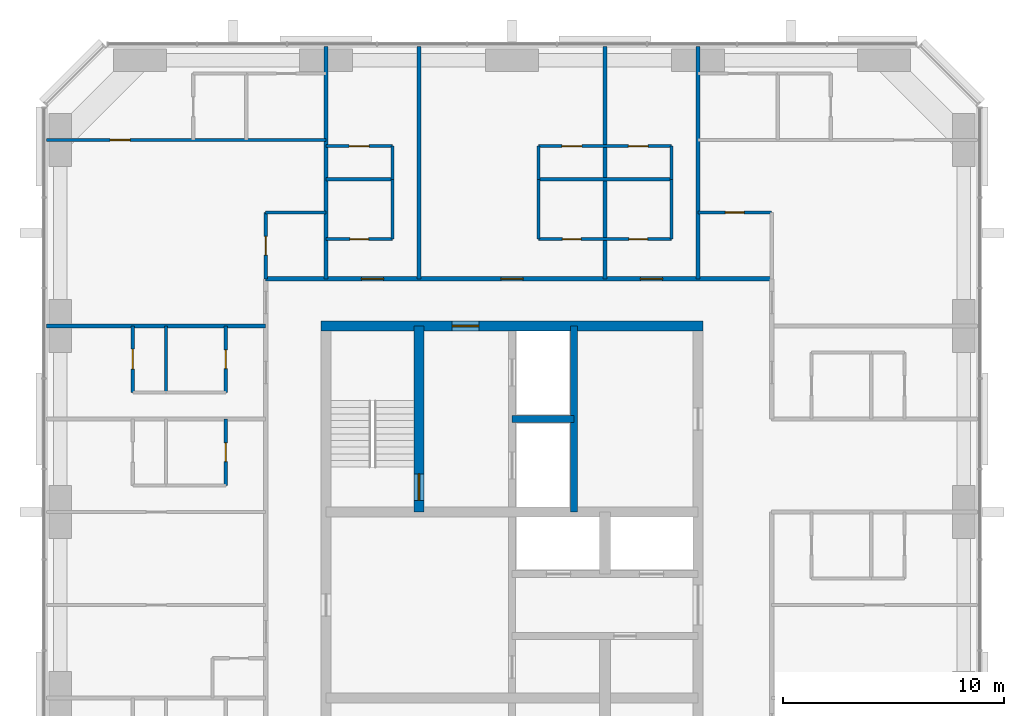
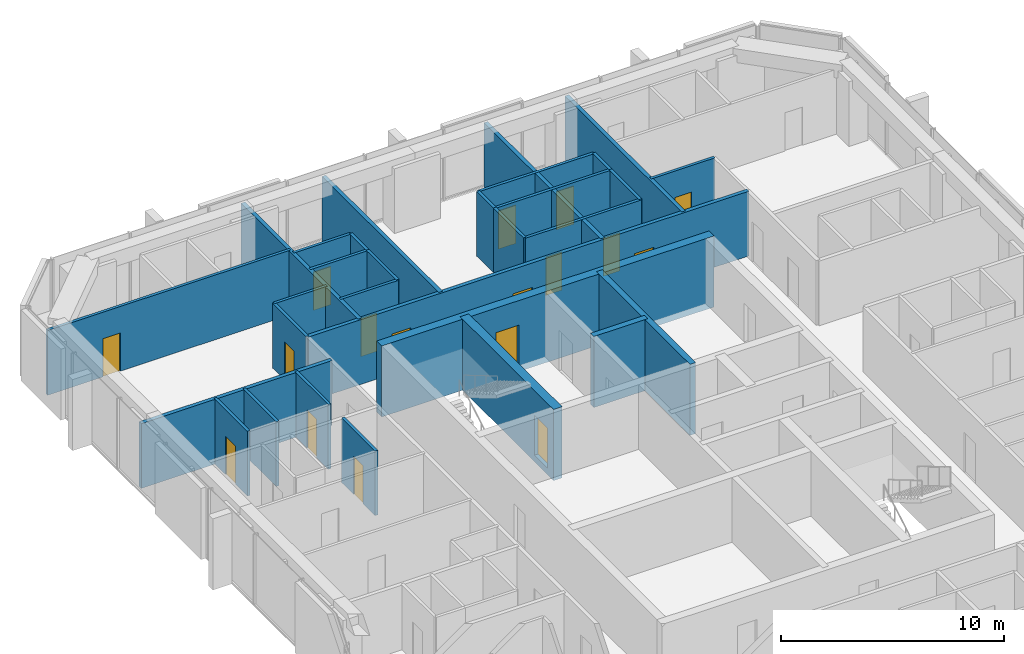
# One storey, part 10 of 12: 30 walls, 17 doors, 17 openings.
"""IFC4 building model written with IfcOpenShell, lengths in metres."""

from ifc_helpers import new_model, si_unit, direction, frame, frame_2d, origin, place, context, subcontext, project, spatial, rectangle, extrude, material, layer, layer_set, type_object, element, fill, save


model = new_model("IFC4")

# Units and contexts
model_context = context("Model", 3, precision=1e-05, world=origin(), true_north=direction((0.0, 1.0)))
body_context = subcontext(model_context, "Body", "Model", "MODEL_VIEW")
ifc_project = project(units=[si_unit("LENGTHUNIT", "METRE"), si_unit("AREAUNIT", "SQUARE_METRE"), si_unit("VOLUMEUNIT", "CUBIC_METRE"), si_unit("PLANEANGLEUNIT", "RADIAN"), si_unit("MASSUNIT", "GRAM", prefix="KILO")], contexts=[model_context])

# Site, building, storey
site_placement = place(None, origin())
site = spatial("IfcSite", under=ifc_project, at=site_placement, CompositionType="ELEMENT")
building_placement = place(site_placement, origin())
building = spatial("IfcBuilding", under=site, at=building_placement, Name="Dunama Terrace Hotel", CompositionType="ELEMENT")
storey_placement = place(building_placement, frame((0.0, 0.0, 264.60009765625)))
storey = spatial("IfcBuildingStorey", under=building, at=storey_placement, Name="L68", CompositionType="ELEMENT", Elevation=264.60009765625)

# Wall, opening, door
ifc_material_1 = material(Name="Gypsum board partition", Category="masonry")
ifc_layer_1 = layer(ifc_material_1, 0.14990234375)
ifc_layer_set_1 = layer_set([ifc_layer_1], Name="Bathroom partition 150")
wall_type_1 = type_object("IfcWallType", Name="Bathroom partition 150", PredefinedType="PARTITIONING", material=ifc_layer_set_1)
wall_1_placement = place(storey_placement, frame((20.675048828125, 34.800048828125, 0.0), z_axis=(0.0, 0.0, 1.0), x_axis=(0.0, 1.0, 0.0)))
wall_1 = element("IfcWall", 1, at=wall_1_placement, inside=storey, type_object=wall_type_1, Name="Bathroom partition 150 L68", PredefinedType="PARTITIONING", context=body_context, shape_type="SweptSolid", body=[
    extrude(rectangle(XDim=3.0, YDim=0.14990234375, at=frame_2d((1.5, 0.0))), origin(), (0.0, 0.0, 1.0), 3.5498046875),
])
opening_1_placement = place(wall_1_placement, frame((1.074951171875, 0.0, 0.0)))
opening_1 = element("IfcOpeningElement", 2, at=opening_1_placement, cuts=wall_1, Name="Opening L68-70-047", PredefinedType="OPENING", context=body_context, shape_type="SweptSolid", body=[
    extrude(rectangle(XDim=0.85009765625, YDim=2.10009765625, at=frame_2d((0.425048828125, 1.050048828125))), frame((0.0, 0.0849609375, 0.0), z_axis=(0.0, -1.0, 0.0), x_axis=(1.0, 0.0, 0.0)), (0.0, 0.0, 1.0), 0.169921875),
])
ifc_material_2 = material(Name="Timber door with steel frame", Category="steel")
door_type_1 = type_object("IfcDoorType", Name="Bathroom door 850", OperationType="SINGLE_SWING_LEFT", PredefinedType="DOOR", material=ifc_material_2)
door_1_placement = place(opening_1_placement, origin())
door_1 = element("IfcDoor", 3, at=door_1_placement, inside=storey, type_object=door_type_1, Name="Door to en-suite bathroom L68-70-047, type D2", OperationType="SINGLE_SWING_RIGHT", OverallHeight=2.10009765625, OverallWidth=0.85009765625, PredefinedType="DOOR", context=body_context, shape_type="SweptSolid", body=[
    extrude(rectangle(XDim=0.85009765625, YDim=2.10009765625, at=frame_2d((0.425048828125, 1.050048828125))), frame((0.0, 0.02490234375, 0.0), z_axis=(0.0, -1.0, 0.0), x_axis=(1.0, 0.0, 0.0)), (0.0, 0.0, 1.0), 0.050048828125),
])
fill(opening_1, door_1)

wall_2_placement = place(storey_placement, frame((20.675048828125, 39.0, 0.0), z_axis=(0.0, 0.0, 1.0), x_axis=(0.0, 1.0, 0.0)))
wall_2 = element("IfcWall", 4, at=wall_2_placement, inside=storey, type_object=wall_type_1, Name="Bathroom partition 150 L68", PredefinedType="PARTITIONING", context=body_context, shape_type="SweptSolid", body=[
    extrude(rectangle(XDim=3.0, YDim=0.14990234375, at=frame_2d((1.5, 0.0))), origin(), (0.0, 0.0, 1.0), 3.5498046875),
])
opening_2_placement = place(wall_2_placement, frame((1.074951171875, 0.0, 0.0)))
opening_2 = element("IfcOpeningElement", 5, at=opening_2_placement, cuts=wall_2, Name="Opening L68-70-050", PredefinedType="OPENING", context=body_context, shape_type="SweptSolid", body=[
    extrude(rectangle(XDim=0.85009765625, YDim=2.10009765625, at=frame_2d((0.425048828125, 1.050048828125))), frame((0.0, 0.0849609375, 0.0), z_axis=(0.0, -1.0, 0.0), x_axis=(1.0, 0.0, 0.0)), (0.0, 0.0, 1.0), 0.169921875),
])
door_2_placement = place(opening_2_placement, origin())
door_2 = element("IfcDoor", 6, at=door_2_placement, inside=storey, type_object=door_type_1, Name="Door to en-suite bathroom L68-70-050, type D2", OperationType="SINGLE_SWING_RIGHT", OverallHeight=2.10009765625, OverallWidth=0.85009765625, PredefinedType="DOOR", context=body_context, shape_type="SweptSolid", body=[
    extrude(rectangle(XDim=0.85009765625, YDim=2.10009765625, at=frame_2d((0.425048828125, 1.050048828125))), frame((0.0, 0.02490234375, 0.0), z_axis=(0.0, -1.0, 0.0), x_axis=(1.0, 0.0, 0.0)), (0.0, 0.0, 1.0), 0.050048828125),
])
fill(opening_2, door_2)

wall_3_placement = place(storey_placement, frame((22.47509765625, 44.125, 0.0), z_axis=(0.0, 0.0, 1.0), x_axis=(0.0, 1.0, 0.0)))
wall_3 = element("IfcWall", 7, at=wall_3_placement, inside=storey, type_object=wall_type_1, Name="Bathroom partition 150 L68", PredefinedType="PARTITIONING", context=body_context, shape_type="SweptSolid", body=[
    extrude(rectangle(XDim=3.0, YDim=0.14990234375, at=frame_2d((1.5, 0.0))), origin(), (0.0, 0.0, 1.0), 3.5498046875),
])
opening_3_placement = place(wall_3_placement, frame((1.074951171875, 0.0, 0.0)))
opening_3 = element("IfcOpeningElement", 8, at=opening_3_placement, cuts=wall_3, Name="Opening L68-70-068", PredefinedType="OPENING", context=body_context, shape_type="SweptSolid", body=[
    extrude(rectangle(XDim=0.85009765625, YDim=2.10009765625, at=frame_2d((0.425048828125, 1.050048828125))), frame((0.0, 0.0849609375, 0.0), z_axis=(0.0, -1.0, 0.0), x_axis=(1.0, 0.0, 0.0)), (0.0, 0.0, 1.0), 0.169921875),
])
door_3_placement = place(opening_3_placement, frame((0.85009765625, 0.0, 0.0), z_axis=(0.0, 0.0, 1.0), x_axis=(-1.0, 0.0, 0.0)))
door_3 = element("IfcDoor", 9, at=door_3_placement, inside=storey, type_object=door_type_1, Name="Door to powder room L68-70-068, type D2", OperationType="SINGLE_SWING_RIGHT", OverallHeight=2.10009765625, OverallWidth=0.85009765625, PredefinedType="DOOR", context=body_context, shape_type="SweptSolid", body=[
    extrude(rectangle(XDim=0.85009765625, YDim=2.10009765625, at=frame_2d((0.425048828125, 1.050048828125))), frame((0.0, 0.025146484375, 0.0), z_axis=(0.0, -1.0, 0.0), x_axis=(1.0, 0.0, 0.0)), (0.0, 0.0, 1.0), 0.050048828125),
])
fill(opening_3, door_3)

# Walls
for number, where, z_axis, x_axis, name in (
    (10, (28.199951171875, 45.925048828125, 0.0), (0.0, 0.0, 1.0), (0.0, 1.0, 0.0), "Bathroom partition 150 L68"),
    (11, (34.800048828125, 45.925048828125, 0.0), (0.0, 0.0, 1.0), (0.0, 1.0, 0.0), "Bathroom partition 150 L68"),
    (12, (40.800048828125, 45.925048828125, 0.0), (0.0, 0.0, 1.0), (0.0, 1.0, 0.0), "Bathroom partition 150 L68"),
):
    element("IfcWall", number, at=place(storey_placement, frame(where, z_axis=z_axis, x_axis=x_axis)), inside=storey, type_object=wall_type_1, Name=name, PredefinedType="PARTITIONING", context=body_context, shape_type="SweptSolid", body=[
        extrude(rectangle(XDim=2.699951171875, YDim=0.14990234375, at=frame_2d((1.35009765625, 0.0))), origin(), (0.0, 0.0, 1.0), 3.5498046875),
    ])

# Wall, opening, door
wall_4_placement = place(storey_placement, frame((25.199951171875, 45.925048828125, 0.0), z_axis=(0.0, 0.0, 1.0), x_axis=(1.0, 0.0, 0.0)))
wall_4 = element("IfcWall", 13, at=wall_4_placement, inside=storey, type_object=wall_type_1, Name="Bathroom partition 150 L68", PredefinedType="PARTITIONING", context=body_context, shape_type="SweptSolid", body=[
    extrude(rectangle(XDim=3.0, YDim=0.14990234375, at=frame_2d((1.5, 0.0))), origin(), (0.0, 0.0, 1.0), 3.5498046875),
])
opening_4_placement = place(wall_4_placement, frame((1.074951171875, 0.0, 0.0)))
opening_4 = element("IfcOpeningElement", 14, at=opening_4_placement, cuts=wall_4, Name="Opening L68-70-029", PredefinedType="OPENING", context=body_context, shape_type="SweptSolid", body=[
    extrude(rectangle(XDim=0.85009765625, YDim=2.10009765625, at=frame_2d((0.425048828125, 1.050048828125))), frame((0.0, 0.0849609375, 0.0), z_axis=(0.0, -1.0, 0.0), x_axis=(1.0, 0.0, 0.0)), (0.0, 0.0, 1.0), 0.169921875),
])
door_4_placement = place(opening_4_placement, origin())
door_4 = element("IfcDoor", 15, at=door_4_placement, inside=storey, type_object=door_type_1, Name="Door to en-suite bathroom L68-70-029, type D2", OperationType="SINGLE_SWING_LEFT", OverallHeight=2.10009765625, OverallWidth=0.85009765625, PredefinedType="DOOR", context=body_context, shape_type="SweptSolid", body=[
    extrude(rectangle(XDim=0.85009765625, YDim=2.10009765625, at=frame_2d((0.425048828125, 1.050048828125))), frame((0.0, 0.02490234375, 0.0), z_axis=(0.0, -1.0, 0.0), x_axis=(1.0, 0.0, 0.0)), (0.0, 0.0, 1.0), 0.050048828125),
])
fill(opening_4, door_4)

# Wall, openings, doors
wall_5_placement = place(storey_placement, frame((34.800048828125, 45.925048828125, 0.0), z_axis=(0.0, 0.0, 1.0), x_axis=(1.0, 0.0, 0.0)))
wall_5 = element("IfcWall", 16, at=wall_5_placement, inside=storey, type_object=wall_type_1, Name="Bathroom partition 150 L68", PredefinedType="PARTITIONING", context=body_context, shape_type="SweptSolid", body=[
    extrude(rectangle(XDim=6.0, YDim=0.14990234375, at=frame_2d((3.0, 0.0))), origin(), (0.0, 0.0, 1.0), 3.5498046875),
])
opening_5_placement = place(wall_5_placement, frame((1.074951171875, 0.0, 0.0)))
opening_5 = element("IfcOpeningElement", 17, at=opening_5_placement, cuts=wall_5, Name="Opening L68-70-032", PredefinedType="OPENING", context=body_context, shape_type="SweptSolid", body=[
    extrude(rectangle(XDim=0.85009765625, YDim=2.10009765625, at=frame_2d((0.425048828125, 1.050048828125))), frame((0.0, 0.0849609375, 0.0), z_axis=(0.0, -1.0, 0.0), x_axis=(1.0, 0.0, 0.0)), (0.0, 0.0, 1.0), 0.169921875),
])
opening_6_placement = place(wall_5_placement, frame((4.074951171875, 0.0, 0.0)))
opening_6 = element("IfcOpeningElement", 18, at=opening_6_placement, cuts=wall_5, Name="Opening L68-70-035", PredefinedType="OPENING", context=body_context, shape_type="SweptSolid", body=[
    extrude(rectangle(XDim=0.85009765625, YDim=2.10009765625, at=frame_2d((0.425048828125, 1.050048828125))), frame((0.0, 0.0849609375, 0.0), z_axis=(0.0, -1.0, 0.0), x_axis=(1.0, 0.0, 0.0)), (0.0, 0.0, 1.0), 0.169921875),
])
door_5_placement = place(opening_5_placement, origin())
door_5 = element("IfcDoor", 19, at=door_5_placement, inside=storey, type_object=door_type_1, Name="Door to en-suite bathroom L68-70-032, type D2", OperationType="SINGLE_SWING_RIGHT", OverallHeight=2.10009765625, OverallWidth=0.85009765625, PredefinedType="DOOR", context=body_context, shape_type="SweptSolid", body=[
    extrude(rectangle(XDim=0.85009765625, YDim=2.10009765625, at=frame_2d((0.425048828125, 1.050048828125))), frame((0.0, 0.02490234375, 0.0), z_axis=(0.0, -1.0, 0.0), x_axis=(1.0, 0.0, 0.0)), (0.0, 0.0, 1.0), 0.050048828125),
])
fill(opening_5, door_5)
door_6_placement = place(opening_6_placement, origin())
door_6 = element("IfcDoor", 20, at=door_6_placement, inside=storey, type_object=door_type_1, Name="Door to en-suite bathroom L68-70-035, type D2", OperationType="SINGLE_SWING_LEFT", OverallHeight=2.10009765625, OverallWidth=0.85009765625, PredefinedType="DOOR", context=body_context, shape_type="SweptSolid", body=[
    extrude(rectangle(XDim=0.85009765625, YDim=2.10009765625, at=frame_2d((0.425048828125, 1.050048828125))), frame((0.0, 0.02490234375, 0.0), z_axis=(0.0, -1.0, 0.0), x_axis=(1.0, 0.0, 0.0)), (0.0, 0.0, 1.0), 0.050048828125),
])
fill(opening_6, door_6)

# Wall
wall_6_placement = place(storey_placement, frame((22.47509765625, 47.125, 0.0), z_axis=(0.0, 0.0, 1.0), x_axis=(1.0, 0.0, 0.0)))
element("IfcWall", 21, at=wall_6_placement, inside=storey, type_object=wall_type_1, Name="Bathroom partition 150 L68", PredefinedType="PARTITIONING", context=body_context, shape_type="SweptSolid", body=[
    extrude(rectangle(XDim=2.724853515625, YDim=0.14990234375, at=frame_2d((1.3623046875, 0.0))), origin(), (0.0, 0.0, 1.0), 3.5498046875),
])

# Wall, opening, door
wall_7_placement = place(storey_placement, frame((42.0, 47.125, 0.0), z_axis=(0.0, 0.0, 1.0), x_axis=(1.0, 0.0, 0.0)))
wall_7 = element("IfcWall", 22, at=wall_7_placement, inside=storey, type_object=wall_type_1, Name="Bathroom partition 150 L68", PredefinedType="PARTITIONING", context=body_context, shape_type="SweptSolid", body=[
    extrude(rectangle(XDim=3.324951171875, YDim=0.14990234375, at=frame_2d((1.66259765625, 0.0))), origin(), (0.0, 0.0, 1.0), 3.5498046875),
])
opening_7_placement = place(wall_7_placement, frame((1.238037109375, 0.0, 0.0)))
opening_7 = element("IfcOpeningElement", 23, at=opening_7_placement, cuts=wall_7, Name="Opening L68-70-063", PredefinedType="OPENING", context=body_context, shape_type="SweptSolid", body=[
    extrude(rectangle(XDim=0.85009765625, YDim=2.10009765625, at=frame_2d((0.425048828125, 1.050048828125))), frame((0.0, 0.0849609375, 0.0), z_axis=(0.0, -1.0, 0.0), x_axis=(1.0, 0.0, 0.0)), (0.0, 0.0, 1.0), 0.169921875),
])
door_7_placement = place(opening_7_placement, frame((0.85009765625, 0.0, 0.0), z_axis=(0.0, 0.0, 1.0), x_axis=(-1.0, 0.0, 0.0)))
door_7 = element("IfcDoor", 24, at=door_7_placement, inside=storey, type_object=door_type_1, Name="Door to powder room L68-70-063, type D2", OperationType="SINGLE_SWING_RIGHT", OverallHeight=2.10009765625, OverallWidth=0.85009765625, PredefinedType="DOOR", context=body_context, shape_type="SweptSolid", body=[
    extrude(rectangle(XDim=0.85009765625, YDim=2.10009765625, at=frame_2d((0.425048828125, 1.050048828125))), frame((0.0, 0.025146484375, 0.0), z_axis=(0.0, -1.0, 0.0), x_axis=(1.0, 0.0, 0.0)), (0.0, 0.0, 1.0), 0.050048828125),
])
fill(opening_7, door_7)

# Walls
ifc_material_3 = material(Name="Concrete C50/60", Category="concrete")
ifc_layer_2 = layer(ifc_material_3, 0.300048828125)
ifc_layer_set_2 = layer_set([ifc_layer_2], Name="Core inner wall 300")
wall_type_2 = type_object("IfcWallType", Name="Core inner wall 300", PredefinedType="SHEAR", material=ifc_layer_set_2)
wall_8_placement = place(storey_placement, frame((36.39990234375, 33.60009765625, -0.35009765625), z_axis=(0.0, 0.0, 1.0), x_axis=(0.0, 1.0, 0.0)))
element("IfcWall", 25, at=wall_8_placement, inside=storey, type_object=wall_type_2, Name="Core inner wall 300 L68", PredefinedType="SHEAR", context=body_context, shape_type="SweptSolid", body=[
    extrude(rectangle(XDim=8.39990234375, YDim=0.300048828125, at=frame_2d((4.199951171875, 0.0))), origin(), (0.0, 0.0, 1.0), 3.89990234375),
])
wall_9_placement = place(storey_placement, frame((33.60009765625, 37.800048828125, -0.35009765625), z_axis=(0.0, 0.0, 1.0), x_axis=(1.0, 0.0, 0.0)))
element("IfcWall", 26, at=wall_9_placement, inside=storey, type_object=wall_type_2, Name="Core inner wall 300 L68", PredefinedType="SHEAR", context=body_context, shape_type="SweptSolid", body=[
    extrude(rectangle(XDim=2.7998046875, YDim=0.300048828125, at=frame_2d((1.39990234375, 0.0))), origin(), (0.0, 0.0, 1.0), 3.89990234375),
])

# Wall, opening, door
ifc_material_4 = material(Name="Concrete C50/60", Category="concrete")
ifc_layer_3 = layer(ifc_material_4, 0.449951171875)
ifc_layer_set_3 = layer_set([ifc_layer_3], Name="Core inner wall 450")
wall_type_3 = type_object("IfcWallType", Name="Core inner wall 450", PredefinedType="SHEAR", material=ifc_layer_set_3)
wall_10_placement = place(storey_placement, frame((29.39990234375, 33.60009765625, -0.35009765625), z_axis=(0.0, 0.0, 1.0), x_axis=(0.0, 1.0, 0.0)))
wall_10 = element("IfcWall", 27, at=wall_10_placement, inside=storey, type_object=wall_type_3, Name="Core inner wall 450 L68", PredefinedType="SHEAR", context=body_context, shape_type="SweptSolid", body=[
    extrude(rectangle(XDim=8.39990234375, YDim=0.449951171875, at=frame_2d((4.199951171875, 0.0))), origin(), (0.0, 0.0, 1.0), 3.89990234375),
])
opening_8_placement = place(wall_10_placement, frame((0.52490234375, 0.0, 0.35009765625)))
opening_8 = element("IfcOpeningElement", 28, at=opening_8_placement, cuts=wall_10, Name="Opening L68-70-001", PredefinedType="OPENING", context=body_context, shape_type="SweptSolid", body=[
    extrude(rectangle(XDim=1.199951171875, YDim=2.199951171875, at=frame_2d((0.60009765625, 1.10009765625))), frame((0.0, 0.23486328125, 0.0), z_axis=(0.0, -1.0, 0.0), x_axis=(1.0, 0.0, 0.0)), (0.0, 0.0, 1.0), 0.469970703125),
])
ifc_material_5 = material(Name="Timber door with steel frame", Category="steel")
door_type_2 = type_object("IfcDoorType", Name="Stair door 1200", OperationType="SINGLE_SWING_LEFT", PredefinedType="DOOR", material=ifc_material_5)
door_8_placement = place(opening_8_placement, origin())
door_8 = element("IfcDoor", 29, at=door_8_placement, inside=storey, type_object=door_type_2, Name="Stair door ST1 L68-70-001, type D5", OperationType="SINGLE_SWING_LEFT", OverallHeight=2.199951171875, OverallWidth=1.199951171875, PredefinedType="DOOR", context=body_context, shape_type="SweptSolid", body=[
    extrude(rectangle(XDim=1.199951171875, YDim=2.199951171875, at=frame_2d((0.60009765625, 1.10009765625))), frame((0.0, 0.02490234375, 0.0), z_axis=(0.0, -1.0, 0.0), x_axis=(1.0, 0.0, 0.0)), (0.0, 0.0, 1.0), 0.050048828125),
])
fill(opening_8, door_8)

ifc_material_6 = material(Name="Concrete C50/60", Category="concrete")
ifc_layer_4 = layer(ifc_material_6, 0.449951171875)
ifc_layer_set_4 = layer_set([ifc_layer_4], Name="Core wall 450")
wall_type_4 = type_object("IfcWallType", Name="Core wall 450", PredefinedType="SHEAR", material=ifc_layer_set_4)
wall_11_placement = place(storey_placement, frame((42.22509765625, 42.0, -0.35009765625), z_axis=(0.0, 0.0, 1.0), x_axis=(-1.0, 0.0, 0.0)))
wall_11 = element("IfcWall", 30, at=wall_11_placement, inside=storey, type_object=wall_type_4, Name="Core wall north L68", PredefinedType="SHEAR", context=body_context, shape_type="SweptSolid", body=[
    extrude(rectangle(XDim=17.25, YDim=0.449951171875, at=frame_2d((8.625, 0.0))), origin(), (0.0, 0.0, 1.0), 3.89990234375),
])
opening_9_placement = place(wall_11_placement, frame((10.125, 0.0, 0.35009765625)))
opening_9 = element("IfcOpeningElement", 31, at=opening_9_placement, cuts=wall_11, Name="Opening L68-70-076", PredefinedType="OPENING", context=body_context, shape_type="SweptSolid", body=[
    extrude(rectangle(XDim=1.199951171875, YDim=2.199951171875, at=frame_2d((0.60009765625, 1.10009765625))), frame((0.0, 0.23486328125, 0.0), z_axis=(0.0, -1.0, 0.0), x_axis=(1.0, 0.0, 0.0)), (0.0, 0.0, 1.0), 0.469970703125),
])
ifc_material_7 = material(Name="Timber door with steel frame", Category="steel")
door_type_3 = type_object("IfcDoorType", Name="Firefighting lobby door 1200", OperationType="SINGLE_SWING_LEFT", PredefinedType="DOOR", material=ifc_material_7)
door_9_placement = place(opening_9_placement, origin())
door_9 = element("IfcDoor", 32, at=door_9_placement, inside=storey, type_object=door_type_3, Name="Door to firefighting lobby L68-70-076, type D4", OperationType="SINGLE_SWING_RIGHT", OverallHeight=2.199951171875, OverallWidth=1.199951171875, PredefinedType="DOOR", context=body_context, shape_type="SweptSolid", body=[
    extrude(rectangle(XDim=1.199951171875, YDim=2.199951171875, at=frame_2d((0.60009765625, 1.10009765625))), frame((0.0, 0.02490234375, 0.0), z_axis=(0.0, -1.0, 0.0), x_axis=(1.0, 0.0, 0.0)), (0.0, 0.0, 1.0), 0.050048828125),
])
fill(opening_9, door_9)

# Wall, openings, doors
ifc_material_8 = material(Name="Concrete blockwork", Category="masonry")
ifc_layer_5 = layer(ifc_material_8, 0.199951171875)
ifc_layer_set_5 = layer_set([ifc_layer_5], Name="Corridor partition 200")
wall_type_5 = type_object("IfcWallType", Name="Corridor partition 200", PredefinedType="PARTITIONING", material=ifc_layer_set_5)
wall_12_placement = place(storey_placement, frame((22.47509765625, 44.125, 0.0), z_axis=(0.0, 0.0, 1.0), x_axis=(1.0, 0.0, 0.0)))
wall_12 = element("IfcWall", 33, at=wall_12_placement, inside=storey, type_object=wall_type_5, Name="Corridor partition 200 L68", PredefinedType="PARTITIONING", context=body_context, shape_type="SweptSolid", body=[
    extrude(rectangle(XDim=22.849853515625, YDim=0.199951171875, at=frame_2d((11.4248046875, 0.0))), origin(), (0.0, 0.0, 1.0), 3.5498046875),
])
opening_10_placement = place(wall_12_placement, frame((4.324951171875, 0.0, 0.0)))
opening_10 = element("IfcOpeningElement", 34, at=opening_10_placement, cuts=wall_12, Name="Opening L68-70-028", PredefinedType="OPENING", context=body_context, shape_type="SweptSolid", body=[
    extrude(rectangle(XDim=1.0, YDim=2.199951171875, at=frame_2d((0.5, 1.10009765625))), frame((0.0, 0.10986328125, 0.0), z_axis=(0.0, -1.0, 0.0), x_axis=(1.0, 0.0, 0.0)), (0.0, 0.0, 1.0), 0.219970703125),
])
opening_11_placement = place(wall_12_placement, frame((10.625, 0.0, 0.0)))
opening_11 = element("IfcOpeningElement", 35, at=opening_11_placement, cuts=wall_12, Name="Opening L68-70-031", PredefinedType="OPENING", context=body_context, shape_type="SweptSolid", body=[
    extrude(rectangle(XDim=1.0, YDim=2.199951171875, at=frame_2d((0.5, 1.10009765625))), frame((0.0, 0.10986328125, 0.0), z_axis=(0.0, -1.0, 0.0), x_axis=(1.0, 0.0, 0.0)), (0.0, 0.0, 1.0), 0.219970703125),
])
opening_12_placement = place(wall_12_placement, frame((16.925048828125, 0.0, 0.0)))
opening_12 = element("IfcOpeningElement", 36, at=opening_12_placement, cuts=wall_12, Name="Opening L68-70-034", PredefinedType="OPENING", context=body_context, shape_type="SweptSolid", body=[
    extrude(rectangle(XDim=1.0, YDim=2.199951171875, at=frame_2d((0.5, 1.10009765625))), frame((0.0, 0.10986328125, 0.0), z_axis=(0.0, -1.0, 0.0), x_axis=(1.0, 0.0, 0.0)), (0.0, 0.0, 1.0), 0.219970703125),
])
ifc_material_9 = material(Name="Timber door with steel frame", Category="steel")
door_type_4 = type_object("IfcDoorType", Name="Guest room door 1000", OperationType="SINGLE_SWING_LEFT", PredefinedType="DOOR", material=ifc_material_9)
door_10_placement = place(opening_10_placement, origin())
door_10 = element("IfcDoor", 37, at=door_10_placement, inside=storey, type_object=door_type_4, Name="Door to studio suite L68-70-028, type D1", OperationType="SINGLE_SWING_LEFT", OverallHeight=2.199951171875, OverallWidth=1.0, PredefinedType="DOOR", context=body_context, shape_type="SweptSolid", body=[
    extrude(rectangle(XDim=1.0, YDim=2.199951171875, at=frame_2d((0.5, 1.10009765625))), frame((0.0, 0.02490234375, 0.0), z_axis=(0.0, -1.0, 0.0), x_axis=(1.0, 0.0, 0.0)), (0.0, 0.0, 1.0), 0.050048828125),
])
fill(opening_10, door_10)
door_11_placement = place(opening_11_placement, origin())
door_11 = element("IfcDoor", 38, at=door_11_placement, inside=storey, type_object=door_type_4, Name="Door to junior suite L68-70-031, type D1", OperationType="SINGLE_SWING_RIGHT", OverallHeight=2.199951171875, OverallWidth=1.0, PredefinedType="DOOR", context=body_context, shape_type="SweptSolid", body=[
    extrude(rectangle(XDim=1.0, YDim=2.199951171875, at=frame_2d((0.5, 1.10009765625))), frame((0.0, 0.02490234375, 0.0), z_axis=(0.0, -1.0, 0.0), x_axis=(1.0, 0.0, 0.0)), (0.0, 0.0, 1.0), 0.050048828125),
])
fill(opening_11, door_11)
door_12_placement = place(opening_12_placement, origin())
door_12 = element("IfcDoor", 39, at=door_12_placement, inside=storey, type_object=door_type_4, Name="Door to studio suite L68-70-034, type D1", OperationType="SINGLE_SWING_LEFT", OverallHeight=2.199951171875, OverallWidth=1.0, PredefinedType="DOOR", context=body_context, shape_type="SweptSolid", body=[
    extrude(rectangle(XDim=1.0, YDim=2.199951171875, at=frame_2d((0.5, 1.10009765625))), frame((0.0, 0.02490234375, 0.0), z_axis=(0.0, -1.0, 0.0), x_axis=(1.0, 0.0, 0.0)), (0.0, 0.0, 1.0), 0.050048828125),
])
fill(opening_12, door_12)

# Walls
ifc_material_10 = material(Name="Concrete blockwork", Category="masonry")
ifc_layer_6 = layer(ifc_material_10, 0.199951171875)
ifc_layer_set_6 = layer_set([ifc_layer_6], Name="Party wall 200")
wall_type_6 = type_object("IfcWallType", Name="Party wall 200", PredefinedType="PARTITIONING", material=ifc_layer_set_6)
for number, where, z_axis, x_axis, name in (
    (40, (25.199951171875, 44.125, 0.0), (0.0, 0.0, 1.0), (0.0, 1.0, 0.0), "Party wall 200 L68"),
    (41, (29.39990234375, 44.125, 0.0), (0.0, 0.0, 1.0), (0.0, 1.0, 0.0), "Party wall 200 L68"),
    (42, (37.800048828125, 44.125, 0.0), (0.0, 0.0, 1.0), (0.0, 1.0, 0.0), "Party wall 200 L68"),
    (43, (42.0, 44.125, 0.0), (0.0, 0.0, 1.0), (0.0, 1.0, 0.0), "Party wall 200 L68"),
):
    element("IfcWall", number, at=place(storey_placement, frame(where, z_axis=z_axis, x_axis=x_axis)), inside=storey, type_object=wall_type_6, Name=name, PredefinedType="PARTITIONING", context=body_context, shape_type="SweptSolid", body=[
        extrude(rectangle(XDim=10.492919921875, YDim=0.199951171875, at=frame_2d((5.24658203125, 0.0))), origin(), (0.0, 0.0, 1.0), 3.5498046875),
    ])
wall_13_placement = place(storey_placement, frame((12.58203125, 42.0, 0.0), z_axis=(0.0, 0.0, 1.0), x_axis=(1.0, 0.0, 0.0)))
element("IfcWall", 44, at=wall_13_placement, inside=storey, type_object=wall_type_6, Name="Party wall 200 L68", PredefinedType="PARTITIONING", context=body_context, shape_type="SweptSolid", body=[
    extrude(rectangle(XDim=9.89306640625, YDim=0.199951171875, at=frame_2d((4.946533203125, 0.0))), origin(), (0.0, 0.0, 1.0), 3.5498046875),
])

# Wall, opening, door
ifc_material_11 = material(Name="Gypsum board partition", Category="masonry")
ifc_layer_7 = layer(ifc_material_11, 0.14990234375)
ifc_layer_set_7 = layer_set([ifc_layer_7], Name="Room partition 150")
wall_type_7 = type_object("IfcWallType", Name="Room partition 150", PredefinedType="PARTITIONING", material=ifc_layer_set_7)
wall_14_placement = place(storey_placement, frame((16.47509765625, 39.0, 0.0), z_axis=(0.0, 0.0, 1.0), x_axis=(0.0, 1.0, 0.0)))
wall_14 = element("IfcWall", 45, at=wall_14_placement, inside=storey, type_object=wall_type_7, Name="Room partition 150 L68", PredefinedType="PARTITIONING", context=body_context, shape_type="SweptSolid", body=[
    extrude(rectangle(XDim=3.0, YDim=0.14990234375, at=frame_2d((1.5, 0.0))), origin(), (0.0, 0.0, 1.0), 3.5498046875),
])
opening_13_placement = place(wall_14_placement, frame((1.050048828125, 0.0, 0.0)))
opening_13 = element("IfcOpeningElement", 46, at=opening_13_placement, cuts=wall_14, Name="Opening L68-70-051", PredefinedType="OPENING", context=body_context, shape_type="SweptSolid", body=[
    extrude(rectangle(XDim=0.89990234375, YDim=2.10009765625, at=frame_2d((0.449951171875, 1.050048828125))), frame((0.0, 0.0849609375, 0.0), z_axis=(0.0, -1.0, 0.0), x_axis=(1.0, 0.0, 0.0)), (0.0, 0.0, 1.0), 0.169921875),
])
ifc_material_12 = material(Name="Timber door with steel frame", Category="steel")
door_type_5 = type_object("IfcDoorType", Name="Suite internal door 900", OperationType="SINGLE_SWING_LEFT", PredefinedType="DOOR", material=ifc_material_12)
door_13_placement = place(opening_13_placement, frame((0.89990234375, 0.0, 0.0), z_axis=(0.0, 0.0, 1.0), x_axis=(-1.0, 0.0, 0.0)))
door_13 = element("IfcDoor", 47, at=door_13_placement, inside=storey, type_object=door_type_5, Name="Door to walk-in wardrobe L68-70-051, type D16", OperationType="SINGLE_SWING_RIGHT", OverallHeight=2.10009765625, OverallWidth=0.89990234375, PredefinedType="DOOR", context=body_context, shape_type="SweptSolid", body=[
    extrude(rectangle(XDim=0.89990234375, YDim=2.10009765625, at=frame_2d((0.449951171875, 1.050048828125))), frame((0.0, 0.025146484375, 0.0), z_axis=(0.0, -1.0, 0.0), x_axis=(1.0, 0.0, 0.0)), (0.0, 0.0, 1.0), 0.050048828125),
])
fill(opening_13, door_13)

# Walls
wall_15_placement = place(storey_placement, frame((17.97509765625, 39.0, 0.0), z_axis=(0.0, 0.0, 1.0), x_axis=(0.0, 1.0, 0.0)))
element("IfcWall", 48, at=wall_15_placement, inside=storey, type_object=wall_type_7, Name="Room partition 150 L68", PredefinedType="PARTITIONING", context=body_context, shape_type="SweptSolid", body=[
    extrude(rectangle(XDim=3.0, YDim=0.14990234375, at=frame_2d((1.5, 0.0))), origin(), (0.0, 0.0, 1.0), 3.5498046875),
])
for number, where, z_axis, x_axis, name in (
    (49, (28.199951171875, 48.625, 0.0), (0.0, 0.0, 1.0), (0.0, 1.0, 0.0), "Room partition 150 L68"),
    (50, (34.800048828125, 48.625, 0.0), (0.0, 0.0, 1.0), (0.0, 1.0, 0.0), "Room partition 150 L68"),
    (51, (40.800048828125, 48.625, 0.0), (0.0, 0.0, 1.0), (0.0, 1.0, 0.0), "Room partition 150 L68"),
):
    element("IfcWall", number, at=place(storey_placement, frame(where, z_axis=z_axis, x_axis=x_axis)), inside=storey, type_object=wall_type_7, Name=name, PredefinedType="PARTITIONING", context=body_context, shape_type="SweptSolid", body=[
        extrude(rectangle(XDim=1.5, YDim=0.14990234375, at=frame_2d((0.75, 0.0))), origin(), (0.0, 0.0, 1.0), 3.5498046875),
    ])
wall_16_placement = place(storey_placement, frame((25.199951171875, 48.625, 0.0), z_axis=(0.0, 0.0, 1.0), x_axis=(1.0, 0.0, 0.0)))
element("IfcWall", 52, at=wall_16_placement, inside=storey, type_object=wall_type_7, Name="Room partition 150 L68", PredefinedType="PARTITIONING", context=body_context, shape_type="SweptSolid", body=[
    extrude(rectangle(XDim=3.0, YDim=0.14990234375, at=frame_2d((1.5, 0.0))), origin(), (0.0, 0.0, 1.0), 3.5498046875),
])
wall_17_placement = place(storey_placement, frame((34.800048828125, 48.625, 0.0), z_axis=(0.0, 0.0, 1.0), x_axis=(1.0, 0.0, 0.0)))
element("IfcWall", 53, at=wall_17_placement, inside=storey, type_object=wall_type_7, Name="Room partition 150 L68", PredefinedType="PARTITIONING", context=body_context, shape_type="SweptSolid", body=[
    extrude(rectangle(XDim=6.0, YDim=0.14990234375, at=frame_2d((3.0, 0.0))), origin(), (0.0, 0.0, 1.0), 3.5498046875),
])

# Wall, opening, door
wall_18_placement = place(storey_placement, frame((25.199951171875, 50.125, 0.0), z_axis=(0.0, 0.0, 1.0), x_axis=(1.0, 0.0, 0.0)))
wall_18 = element("IfcWall", 54, at=wall_18_placement, inside=storey, type_object=wall_type_7, Name="Room partition 150 L68", PredefinedType="PARTITIONING", context=body_context, shape_type="SweptSolid", body=[
    extrude(rectangle(XDim=3.0, YDim=0.14990234375, at=frame_2d((1.5, 0.0))), origin(), (0.0, 0.0, 1.0), 3.5498046875),
])
opening_14_placement = place(wall_18_placement, frame((1.050048828125, 0.0, 0.0)))
opening_14 = element("IfcOpeningElement", 55, at=opening_14_placement, cuts=wall_18, Name="Opening L68-70-030", PredefinedType="OPENING", context=body_context, shape_type="SweptSolid", body=[
    extrude(rectangle(XDim=0.89990234375, YDim=2.10009765625, at=frame_2d((0.449951171875, 1.050048828125))), frame((0.0, 0.0849609375, 0.0), z_axis=(0.0, -1.0, 0.0), x_axis=(1.0, 0.0, 0.0)), (0.0, 0.0, 1.0), 0.169921875),
])
door_14_placement = place(opening_14_placement, frame((0.89990234375, 0.0, 0.0), z_axis=(0.0, 0.0, 1.0), x_axis=(-1.0, 0.0, 0.0)))
door_14 = element("IfcDoor", 56, at=door_14_placement, inside=storey, type_object=door_type_5, Name="Door to walk-in wardrobe L68-70-030, type D16", OperationType="SINGLE_SWING_RIGHT", OverallHeight=2.10009765625, OverallWidth=0.89990234375, PredefinedType="DOOR", context=body_context, shape_type="SweptSolid", body=[
    extrude(rectangle(XDim=0.89990234375, YDim=2.10009765625, at=frame_2d((0.449951171875, 1.050048828125))), frame((0.0, 0.025146484375, 0.0), z_axis=(0.0, -1.0, 0.0), x_axis=(1.0, 0.0, 0.0)), (0.0, 0.0, 1.0), 0.050048828125),
])
fill(opening_14, door_14)

# Wall, openings, doors
wall_19_placement = place(storey_placement, frame((34.800048828125, 50.125, 0.0), z_axis=(0.0, 0.0, 1.0), x_axis=(1.0, 0.0, 0.0)))
wall_19 = element("IfcWall", 57, at=wall_19_placement, inside=storey, type_object=wall_type_7, Name="Room partition 150 L68", PredefinedType="PARTITIONING", context=body_context, shape_type="SweptSolid", body=[
    extrude(rectangle(XDim=6.0, YDim=0.14990234375, at=frame_2d((3.0, 0.0))), origin(), (0.0, 0.0, 1.0), 3.5498046875),
])
opening_15_placement = place(wall_19_placement, frame((1.050048828125, 0.0, 0.0)))
opening_15 = element("IfcOpeningElement", 58, at=opening_15_placement, cuts=wall_19, Name="Opening L68-70-033", PredefinedType="OPENING", context=body_context, shape_type="SweptSolid", body=[
    extrude(rectangle(XDim=0.89990234375, YDim=2.10009765625, at=frame_2d((0.449951171875, 1.050048828125))), frame((0.0, 0.0849609375, 0.0), z_axis=(0.0, -1.0, 0.0), x_axis=(1.0, 0.0, 0.0)), (0.0, 0.0, 1.0), 0.169921875),
])
opening_16_placement = place(wall_19_placement, frame((4.050048828125, 0.0, 0.0)))
opening_16 = element("IfcOpeningElement", 59, at=opening_16_placement, cuts=wall_19, Name="Opening L68-70-036", PredefinedType="OPENING", context=body_context, shape_type="SweptSolid", body=[
    extrude(rectangle(XDim=0.89990234375, YDim=2.10009765625, at=frame_2d((0.449951171875, 1.050048828125))), frame((0.0, 0.0849609375, 0.0), z_axis=(0.0, -1.0, 0.0), x_axis=(1.0, 0.0, 0.0)), (0.0, 0.0, 1.0), 0.169921875),
])
door_15_placement = place(opening_15_placement, frame((0.89990234375, 0.0, 0.0), z_axis=(0.0, 0.0, 1.0), x_axis=(-1.0, 0.0, 0.0)))
door_15 = element("IfcDoor", 60, at=door_15_placement, inside=storey, type_object=door_type_5, Name="Door to walk-in wardrobe L68-70-033, type D16", OperationType="SINGLE_SWING_RIGHT", OverallHeight=2.10009765625, OverallWidth=0.89990234375, PredefinedType="DOOR", context=body_context, shape_type="SweptSolid", body=[
    extrude(rectangle(XDim=0.89990234375, YDim=2.10009765625, at=frame_2d((0.449951171875, 1.050048828125))), frame((0.0, 0.025146484375, 0.0), z_axis=(0.0, -1.0, 0.0), x_axis=(1.0, 0.0, 0.0)), (0.0, 0.0, 1.0), 0.050048828125),
])
fill(opening_15, door_15)
door_16_placement = place(opening_16_placement, frame((0.89990234375, 0.0, 0.0), z_axis=(0.0, 0.0, 1.0), x_axis=(-1.0, 0.0, 0.0)))
door_16 = element("IfcDoor", 61, at=door_16_placement, inside=storey, type_object=door_type_5, Name="Door to walk-in wardrobe L68-70-036, type D16", OperationType="SINGLE_SWING_RIGHT", OverallHeight=2.10009765625, OverallWidth=0.89990234375, PredefinedType="DOOR", context=body_context, shape_type="SweptSolid", body=[
    extrude(rectangle(XDim=0.89990234375, YDim=2.10009765625, at=frame_2d((0.449951171875, 1.050048828125))), frame((0.0, 0.025146484375, 0.0), z_axis=(0.0, -1.0, 0.0), x_axis=(1.0, 0.0, 0.0)), (0.0, 0.0, 1.0), 0.050048828125),
])
fill(opening_16, door_16)

# Wall, opening, door
wall_20_placement = place(storey_placement, frame((12.58203125, 50.39990234375, 0.0), z_axis=(0.0, 0.0, 1.0), x_axis=(1.0, 0.0, 0.0)))
wall_20 = element("IfcWall", 62, at=wall_20_placement, inside=storey, type_object=wall_type_7, Name="Room partition 150 L68", PredefinedType="PARTITIONING", context=body_context, shape_type="SweptSolid", body=[
    extrude(rectangle(XDim=12.617919921875, YDim=0.14990234375, at=frame_2d((6.30908203125, 0.0))), origin(), (0.0, 0.0, 1.0), 3.5498046875),
])
opening_17_placement = place(wall_20_placement, frame((2.867919921875, 0.0, 0.0)))
opening_17 = element("IfcOpeningElement", 63, at=opening_17_placement, cuts=wall_20, Name="Opening L68-70-069", PredefinedType="OPENING", context=body_context, shape_type="SweptSolid", body=[
    extrude(rectangle(XDim=0.89990234375, YDim=2.10009765625, at=frame_2d((0.449951171875, 1.050048828125))), frame((0.0, 0.0849609375, 0.0), z_axis=(0.0, -1.0, 0.0), x_axis=(1.0, 0.0, 0.0)), (0.0, 0.0, 1.0), 0.169921875),
])
door_17_placement = place(opening_17_placement, origin())
door_17 = element("IfcDoor", 64, at=door_17_placement, inside=storey, type_object=door_type_5, Name="Door to grand corner suite bedroom L68-70-069, type D16", OperationType="SINGLE_SWING_LEFT", OverallHeight=2.10009765625, OverallWidth=0.89990234375, PredefinedType="DOOR", context=body_context, shape_type="SweptSolid", body=[
    extrude(rectangle(XDim=0.89990234375, YDim=2.10009765625, at=frame_2d((0.449951171875, 1.050048828125))), frame((0.0, 0.02490234375, 0.0), z_axis=(0.0, -1.0, 0.0), x_axis=(1.0, 0.0, 0.0)), (0.0, 0.0, 1.0), 0.050048828125),
])
fill(opening_17, door_17)

save(model, "model.ifc")
